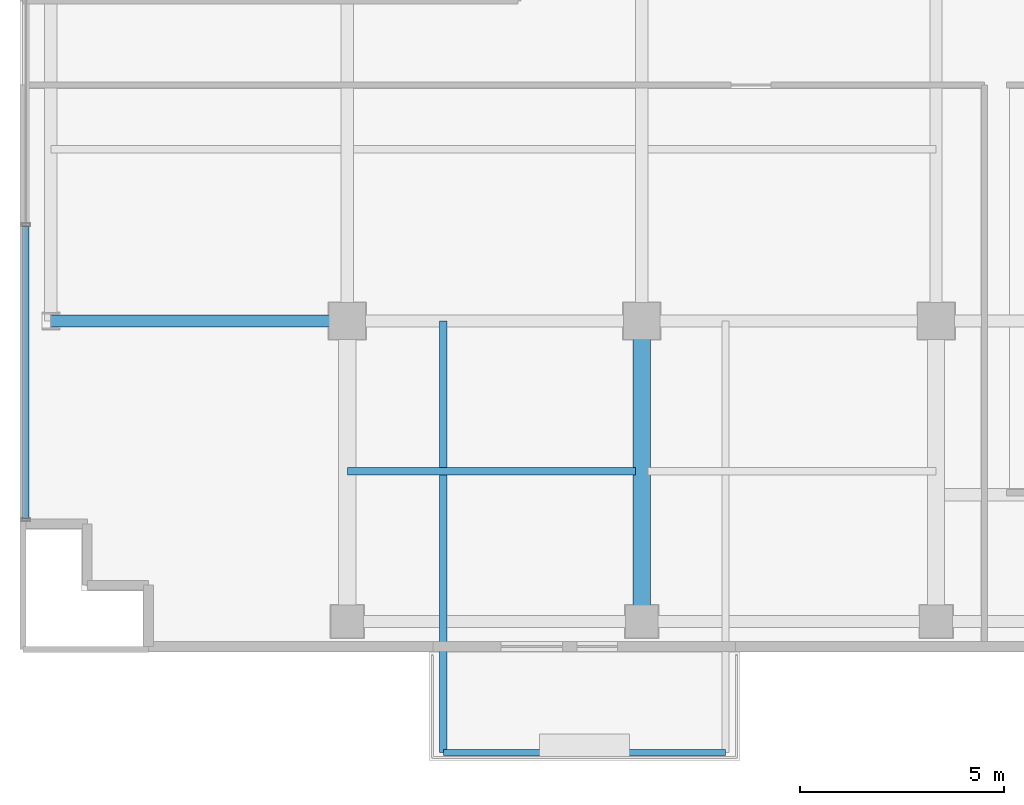
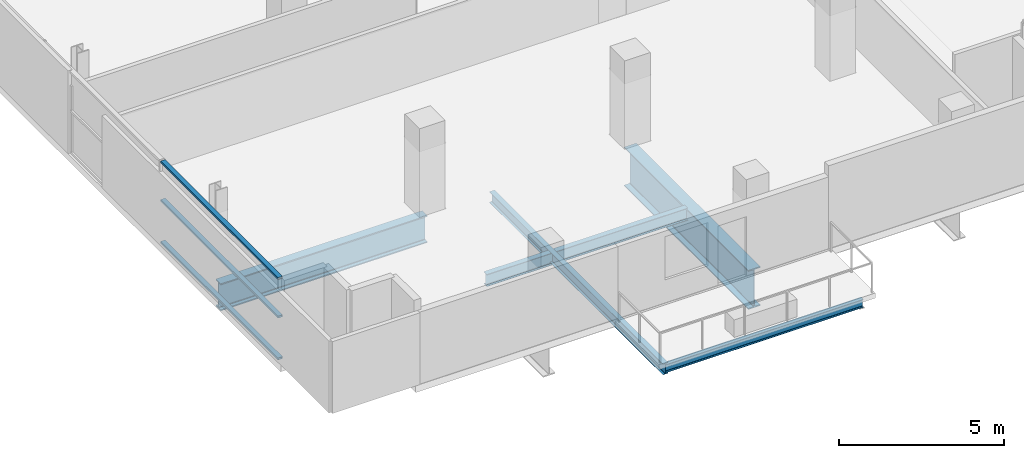
# One storey, part 3 of 27: 5 beams, 3 members, 1 element without a shape of its own.
"""IFC4 building model written with IfcOpenShell, lengths in metres."""

from ifc_helpers import new_model, si_unit, direction, frame, origin, origin_2d, place, context, subcontext, project, spatial, hollow_rectangle, i_section, extrude, source, transform, mapped, material, layer, layer_set, material_profile, profile_set, type_object, element, aggregate, save


model = new_model("IFC4")

# Units and contexts
model_context = context("Model", 3, precision=1e-05, world=origin(), true_north=direction((0.0, 1.0)))
body_context = subcontext(model_context, "Body", "Model", "MODEL_VIEW")
ifc_project = project(units=[si_unit("LENGTHUNIT", "METRE"), si_unit("AREAUNIT", "SQUARE_METRE"), si_unit("VOLUMEUNIT", "CUBIC_METRE"), si_unit("PLANEANGLEUNIT", "RADIAN"), si_unit("MASSUNIT", "GRAM", prefix="KILO")], contexts=[model_context])

# Site, building, storey
site_placement = place(None, origin())
site = spatial("IfcSite", under=ifc_project, at=site_placement, CompositionType="ELEMENT")
building_placement = place(site_placement, origin())
building = spatial("IfcBuilding", under=site, at=building_placement, Name="Zarnakvel Exchange Tower", CompositionType="ELEMENT")
storey_placement = place(building_placement, frame((0.0, 0.0, 86.800048828125)))
storey = spatial("IfcBuildingStorey", under=building, at=storey_placement, Name="L23", CompositionType="ELEMENT", Elevation=86.800048828125)

# Beams
ifc_material_1 = material(Name="Steel S355", Category="steel")
ifc_material_profile_1 = material_profile(ifc_material_1, i_section(OverallWidth=0.18994140625, OverallDepth=0.449951171875, WebThickness=0.009521484375, FlangeThickness=0.0146484375, FilletRadius=0.02099609375, at=origin_2d()))
ifc_profile_set_1 = profile_set([ifc_material_profile_1], Name="Steel S355")
beam_type_1 = type_object("IfcBeamType", Name="B-05", PredefinedType="JOIST", material=ifc_profile_set_1)
beam_1_placement = place(storey_placement, frame((-21.60009765625, -13.27490234375, -0.47509765625), z_axis=(1.0, 0.0, 0.0), x_axis=(0.0, 1.0, 0.0)))
element("IfcBeam", 1, at=beam_1_placement, inside=storey, type_object=beam_type_1, Name="L23 Composite Floor Secondary Joist", PredefinedType="JOIST", context=body_context, shape_type="SweptSolid", body=[
    extrude(i_section(OverallWidth=0.18994140625, OverallDepth=0.449951171875, WebThickness=0.009521484375, FlangeThickness=0.0146484375, FilletRadius=0.02099609375, at=origin_2d()), origin(), (0.0, 0.0, 1.0), 7.045166015625),
])
ifc_material_profile_2 = material_profile(ifc_material_1, i_section(OverallWidth=0.179931640625, OverallDepth=0.39990234375, WebThickness=0.008544921875, FlangeThickness=0.013427734375, FilletRadius=0.02099609375, at=origin_2d()))
ifc_profile_set_2 = profile_set([ifc_material_profile_2], Name="Steel S355")
beam_type_2 = type_object("IfcBeamType", Name="B-06", PredefinedType="JOIST", material=ifc_profile_set_2)
beam_2_placement = place(storey_placement, frame((-19.25, -9.60009765625, -0.449951171875), z_axis=(0.0, -1.0, 0.0), x_axis=(1.0, 0.0, 0.0)))
element("IfcBeam", 2, at=beam_2_placement, inside=storey, type_object=beam_type_2, Name="L23 Continuous Back-Spanned Balcony Beam W", PredefinedType="JOIST", context=body_context, shape_type="SweptSolid", body=[
    extrude(i_section(OverallWidth=0.179931640625, OverallDepth=0.39990234375, WebThickness=0.008544921875, FlangeThickness=0.013427734375, FilletRadius=0.02099609375, at=origin_2d()), origin(), (0.0, 0.0, 1.0), 10.5498046875),
])
ifc_material_profile_3 = material_profile(ifc_material_1, i_section(OverallWidth=0.14990234375, OverallDepth=0.300048828125, WebThickness=0.007080078125, FlangeThickness=0.0107421875, FilletRadius=0.014892578125, at=origin_2d()))
ifc_profile_set_3 = profile_set([ifc_material_profile_3], Name="Steel S355")
beam_type_3 = type_object("IfcBeamType", Name="B-08", PredefinedType="JOIST", material=ifc_profile_set_3)
beam_3_placement = place(storey_placement, frame((-19.25, -20.14990234375, -0.400146484375), z_axis=(1.0, 0.0, 0.0), x_axis=(0.0, 1.0, 0.0)))
element("IfcBeam", 3, at=beam_3_placement, inside=storey, type_object=beam_type_3, Name="L23 Balcony Edge Beam", PredefinedType="JOIST", context=body_context, shape_type="SweptSolid", body=[
    extrude(i_section(OverallWidth=0.14990234375, OverallDepth=0.300048828125, WebThickness=0.007080078125, FlangeThickness=0.0107421875, FilletRadius=0.014892578125, at=origin_2d()), origin(), (0.0, 0.0, 1.0), 6.89990234375),
])
ifc_material_2 = material(Name="Steel S460", Category="steel")
ifc_material_profile_4 = material_profile(ifc_material_2, i_section(OverallWidth=0.419921875, OverallDepth=1.449951171875, WebThickness=0.02392578125, FlangeThickness=0.0400390625, FilletRadius=0.030029296875, at=origin_2d()))
ifc_profile_set_4 = profile_set([ifc_material_profile_4], Name="Steel S460")
beam_type_4 = type_object("IfcBeamType", Name="TG-01", PredefinedType="BEAM", material=ifc_profile_set_4)
beam_4_placement = place(storey_placement, frame((-14.39990234375, -17.14990234375, -0.97509765625), z_axis=(0.0, 1.0, 0.0), x_axis=(-1.0, 0.0, 0.0)))
element("IfcBeam", 4, at=beam_4_placement, inside=storey, type_object=beam_type_4, Name="L23 Setback N-S Transfer Girder TS-4", PredefinedType="BEAM", context=body_context, shape_type="SweptSolid", body=[
    extrude(i_section(OverallWidth=0.419921875, OverallDepth=1.449951171875, WebThickness=0.02392578125, FlangeThickness=0.0400390625, FilletRadius=0.030029296875, at=origin_2d()), origin(), (0.0, 0.0, 1.0), 7.5498046875),
])
ifc_material_profile_5 = material_profile(ifc_material_2, i_section(OverallWidth=0.302001953125, OverallDepth=1.008056640625, WebThickness=0.02099609375, FlangeThickness=0.0400390625, FilletRadius=0.030029296875, at=origin_2d()))
ifc_profile_set_5 = profile_set([ifc_material_profile_5], Name="Steel S460")
beam_type_5 = type_object("IfcBeamType", Name="TG-05", PredefinedType="BEAM", material=ifc_profile_set_5)
beam_5_placement = place(storey_placement, frame((-28.85009765625, -9.60009765625, -0.754150390625), z_axis=(1.0, 0.0, 0.0), x_axis=(0.0, 1.0, 0.0)))
element("IfcBeam", 5, at=beam_5_placement, inside=storey, type_object=beam_type_5, Name="L23 Block-Shift Continuous Transfer TW-C", PredefinedType="BEAM", context=body_context, shape_type="SweptSolid", body=[
    extrude(i_section(OverallWidth=0.302001953125, OverallDepth=1.008056640625, WebThickness=0.02099609375, FlangeThickness=0.0400390625, FilletRadius=0.030029296875, at=origin_2d()), origin(), (0.0, 0.0, 1.0), 7.25),
])

# Curtain wall, members
ifc_material_3 = material(Name="Architectural Bronze Anodised Aluminium", Category="aluminium")
ifc_layer = layer(ifc_material_3, 0.199951171875)
ifc_layer_set = layer_set([ifc_layer], Name="Architectural Bronze Anodised Aluminium")
curtain_wall_type = type_object("IfcCurtainWallType", Name="CW-04", PredefinedType="NOTDEFINED", material=ifc_layer_set)
curtain_wall_placement = place(storey_placement, origin())
curtain_wall = element("IfcCurtainWall", 6, at=curtain_wall_placement, inside=storey, type_object=curtain_wall_type, Name="L23 Curtain Wall CW-L23-W1 (CW-04)", PredefinedType="NOTDEFINED")
ifc_material_profile_6 = material_profile(ifc_material_3, hollow_rectangle(XDim=0.159912109375, YDim=0.074951171875, WallThickness=0.00390625, at=origin_2d()))
ifc_profile_set_6 = profile_set([ifc_material_profile_6], Name="Architectural Bronze Anodised Aluminium")
member_type = type_object("IfcMemberType", Name="CWT-04", PredefinedType="USERDEFINED", material=ifc_profile_set_6)
shared_shape = source(origin(), body_context, "Body", "SweptSolid", [
    extrude(hollow_rectangle(XDim=0.159912109375, YDim=0.074951171875, WallThickness=0.00390625, at=origin_2d()), origin(), (0.0, 0.0, 1.0), 7.137451171875),
])
member_1_placement = place(storey_placement, frame((-29.4599609375, -14.425048828125, 0.037353515625), z_axis=(0.0, 1.0, 0.0), x_axis=(-1.0, 0.0, 0.0)))
member_1 = element("IfcMember", 7, at=member_1_placement, type_object=member_type, Name="CW-04 transom 1.1", ObjectType="TRANSOM", PredefinedType="USERDEFINED", context=body_context, shape_type="MappedRepresentation", body=[
    mapped(shared_shape, transform((0.0, 0.0, 0.0), x_axis=(1.0, 0.0, 0.0), y_axis=(0.0, 1.0, 0.0), z_axis=(0.0, 0.0, 1.0), scale=1.0)),
])
member_2_placement = place(storey_placement, frame((-29.4599609375, -14.425048828125, 1.588623046875), z_axis=(0.0, 1.0, 0.0), x_axis=(-1.0, 0.0, 0.0)))
member_2 = element("IfcMember", 8, at=member_2_placement, type_object=member_type, Name="CW-04 transom 1.2", ObjectType="TRANSOM", PredefinedType="USERDEFINED", context=body_context, shape_type="MappedRepresentation", body=[
    mapped(shared_shape, transform((0.0, 0.0, 0.0), x_axis=(1.0, 0.0, 0.0), y_axis=(0.0, 1.0, 0.0), z_axis=(0.0, 0.0, 1.0), scale=1.0)),
])
member_3_placement = place(storey_placement, frame((-29.4599609375, -14.425048828125, 3.017333984375), z_axis=(0.0, 1.0, 0.0), x_axis=(-1.0, 0.0, 0.0)))
member_3 = element("IfcMember", 9, at=member_3_placement, type_object=member_type, Name="CW-04 transom 1.3", ObjectType="TRANSOM", PredefinedType="USERDEFINED", context=body_context, shape_type="MappedRepresentation", body=[
    mapped(shared_shape, transform((0.0, 0.0, 0.0), x_axis=(1.0, 0.0, 0.0), y_axis=(0.0, 1.0, 0.0), z_axis=(0.0, 0.0, 1.0), scale=1.0)),
])
aggregate(curtain_wall, [member_1, member_2, member_3])

save(model, "model.ifc")
